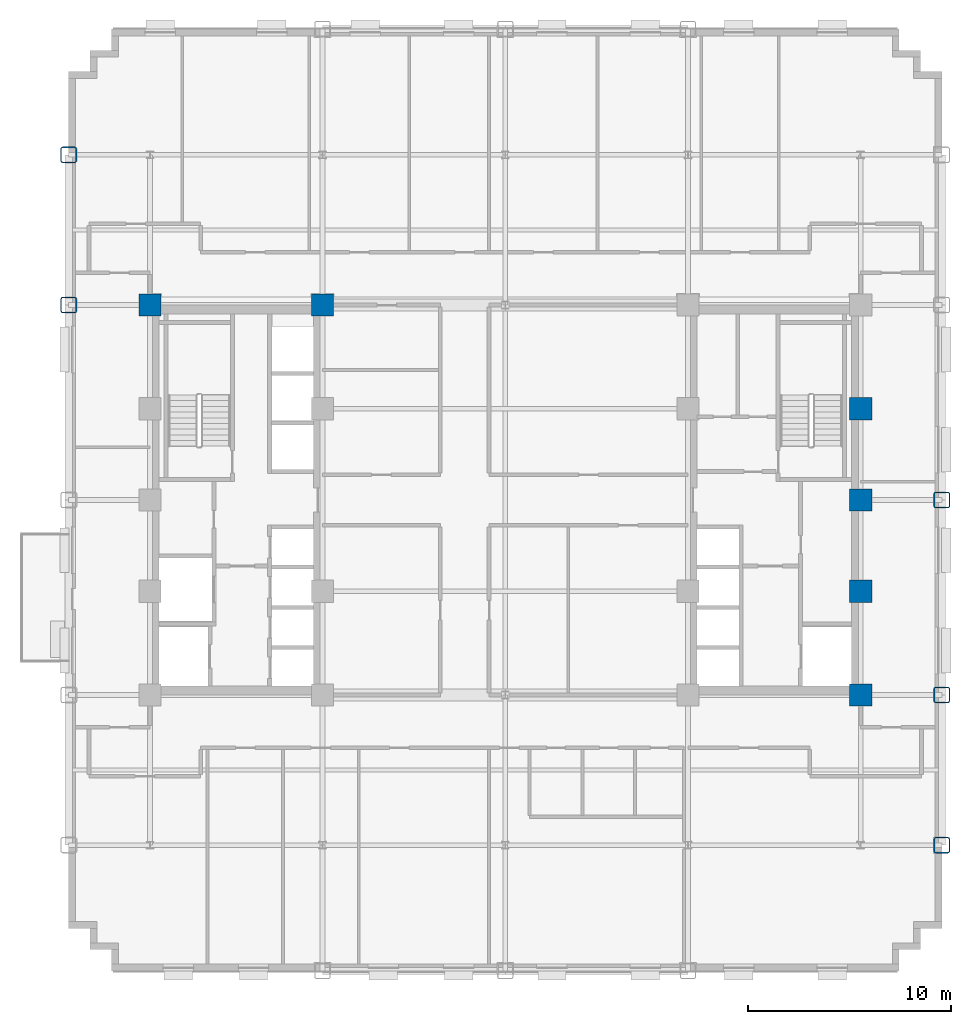
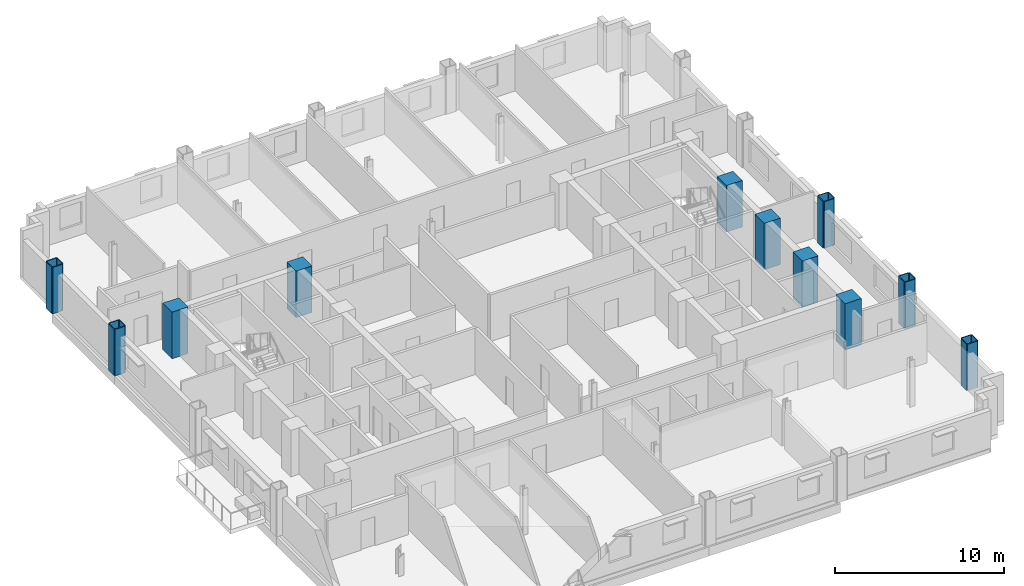
# One storey, part 2 of 14: 11 columns.
"""IFC4 building model written with IfcOpenShell, lengths in metres."""

import ifcopenshell
import ifcopenshell.guid

model = None  # the IFC model being written
_history = None  # IfcOwnerHistory: only IFC2X3 demands one
_inside = {}  # id of a spatial element -> (the spatial element, [elements in it])
_under = {}  # id of a project, library or spatial element -> (it, [spatial elements below it])
_declared = {}  # id of a project -> (the project, [libraries it declares])
_typed = {}  # id of a type object -> (the type object, [elements of that type])
_made_of = {}  # id of a material, layer set ... -> (it, [elements and type objects made of it])


def new_model(schema):
    """Start an empty IFC model of exactly this schema.

    Asked for "IFC4X3", IfcOpenShell would pick the latest addendum, in which some entities
    have other attributes; the version numbers below select the first issue.
    IFC2X3 requires an IfcOwnerHistory on every rooted entity: one is made here for all.
    """
    global model, _history
    if schema == "IFC4X3":
        model = ifcopenshell.file(schema_version=(4, 3, 0, 0))
    else:
        model = ifcopenshell.file(schema=schema)
    _inside.clear()
    _under.clear()
    _declared.clear()
    _typed.clear()
    _made_of.clear()
    _history = None
    if model.schema == "IFC2X3":
        org = make("IfcOrganization", Name="unknown")
        user = make(
            "IfcPersonAndOrganization",
            ThePerson=make("IfcPerson", FamilyName="unknown"),
            TheOrganization=org,
        )
        app = make(
            "IfcApplication",
            ApplicationDeveloper=org,
            Version="unknown",
            ApplicationFullName="unknown",
            ApplicationIdentifier="unknown",
        )
        _history = make(
            "IfcOwnerHistory",
            OwningUser=user,
            OwningApplication=app,
            ChangeAction="ADDED",
            CreationDate=0,
        )
    return model


def make(cls, **values):
    """One entity of the class cls with the attributes given. An attribute that is None is left unset."""
    return model.create_entity(
        cls, **{name: value for name, value in values.items() if value is not None}
    )


def rooted(cls, **values):
    """An entity with a GlobalId (a new one), such as an element, a storey or a relation."""
    return make(cls, GlobalId=ifcopenshell.guid.new(), OwnerHistory=_history, **values)


def si_unit(unit_type, name, prefix=None):
    """IfcSIUnit, for example si_unit("LENGTHUNIT", "METRE", prefix="MILLI")."""
    return make("IfcSIUnit", UnitType=unit_type, Prefix=prefix, Name=name)


def assignment(units):
    """IfcUnitAssignment: the units of a project."""
    return None if units is None else make("IfcUnitAssignment", Units=units)


def point(xyz):
    """IfcCartesianPoint."""
    return None if xyz is None else make("IfcCartesianPoint", Coordinates=xyz)


def direction(xyz):
    """IfcDirection."""
    return None if xyz is None else make("IfcDirection", DirectionRatios=xyz)


def frame(location, z_axis=None, x_axis=None):
    """IfcAxis2Placement3D, a coordinate frame: its origin and axes. An axis left out is left unset."""
    return make(
        "IfcAxis2Placement3D",
        Location=point(location),
        Axis=direction(z_axis),
        RefDirection=direction(x_axis),
    )


def frame_2d(location, x_axis=None):
    """IfcAxis2Placement2D, a coordinate frame in the plane: its origin and x axis."""
    return make(
        "IfcAxis2Placement2D", Location=point(location), RefDirection=direction(x_axis)
    )


def origin():
    """The frame at (0, 0, 0) with its axes left unset."""
    return frame((0.0, 0.0, 0.0))


def origin_2d():
    """The frame at (0, 0) in the plane with its x axis left unset."""
    return frame_2d((0.0, 0.0))


def place(relative_to, where):
    """IfcLocalPlacement: puts the frame where relative to a parent placement (None: the world)."""
    return make(
        "IfcLocalPlacement", PlacementRelTo=relative_to, RelativePlacement=where
    )


def context(
    kind, dimensions, precision=None, world=None, true_north=None, identifier=None
):
    """IfcGeometricRepresentationContext, for example the 3D "Model" context."""
    return make(
        "IfcGeometricRepresentationContext",
        ContextIdentifier=identifier,
        ContextType=kind,
        CoordinateSpaceDimension=dimensions,
        Precision=precision,
        WorldCoordinateSystem=world,
        TrueNorth=true_north,
    )


def subcontext(parent, identifier, kind, view, scale=None):
    """IfcGeometricRepresentationSubContext, for example "Body" below "Model"."""
    return make(
        "IfcGeometricRepresentationSubContext",
        ContextIdentifier=identifier,
        ContextType=kind,
        ParentContext=parent,
        TargetScale=scale,
        TargetView=view,
    )


def project(units=None, contexts=None):
    """IfcProject with its units and contexts."""
    return rooted(
        "IfcProject",
        Name="project",
        RepresentationContexts=contexts,
        UnitsInContext=assignment(units),
    )


def spatial(cls, under=None, at=None, **own):
    """A site, building, storey or space (cls), placed at a placement, below another one or the project."""
    s = rooted(cls, ObjectPlacement=at, **own)
    if under is not None:
        _under.setdefault(under.id(), (under, []))[1].append(s)
    return s


def profile(cls, at=None, kind="AREA", **sizes):
    """A parametric profile (cls). Its sizes go by their IFC names, for example OverallWidth=200.0."""
    return make(cls, ProfileType=kind, Position=at, **sizes)


def rectangle(**sizes):
    """IfcRectangleProfileDef."""
    return profile("IfcRectangleProfileDef", **sizes)


def hollow_rectangle(**sizes):
    """IfcRectangleHollowProfileDef."""
    return profile("IfcRectangleHollowProfileDef", **sizes)


def extrude(swept, where, along, depth):
    """IfcExtrudedAreaSolid: the profile swept, set in the frame where, extruded along a direction by depth."""
    return make(
        "IfcExtrudedAreaSolid",
        SweptArea=swept,
        Position=where,
        ExtrudedDirection=direction(along),
        Depth=depth,
    )


def shape(context_of_items, identifier, shape_type, items):
    """IfcShapeRepresentation: the items that make up one representation, for example the "Body"."""
    return make(
        "IfcShapeRepresentation",
        ContextOfItems=context_of_items,
        RepresentationIdentifier=identifier,
        RepresentationType=shape_type,
        Items=items,
    )


def material(Name=None, Category=None):
    """IfcMaterial."""
    return make("IfcMaterial", Name=Name, Category=Category)


def material_profile(
    of_material, cross_section, Name=None, Category=None, Priority=None
):
    """IfcMaterialProfile: a cross section and its material."""
    return make(
        "IfcMaterialProfile",
        Name=Name,
        Material=of_material,
        Profile=cross_section,
        Priority=Priority,
        Category=Category,
    )


def profile_set(profiles, Name=None, composite=None):
    """IfcMaterialProfileSet."""
    return make(
        "IfcMaterialProfileSet",
        Name=Name,
        MaterialProfiles=profiles,
        CompositeProfile=composite,
    )


def made_of(thing, what):
    """Note that an element or type object is made of a material, layer set ...; save() writes the relation."""
    if what is not None:
        _made_of.setdefault(what.id(), (what, []))[1].append(thing)
    return thing


def type_object(cls, material=None, **own):
    """A type object (cls), such as IfcWallType, which elements share."""
    return made_of(rooted(cls, **own), material)


def element(
    cls,
    number,
    at=None,
    inside=None,
    cuts=None,
    type_object=None,
    material=None,
    context=None,
    identifier="Body",
    shape_type=None,
    held_by="IfcProductDefinitionShape",
    body=None,
    shapes=None,
    **own,
):
    """One element of the class cls, such as IfcWall. Its Tag is "e" and its number.

    at: its placement. inside: the storey or other place that contains it. cuts: it is an
    opening in that element (IfcRelVoidsElement). A single representation is given by context,
    identifier, shape_type and body (its items); several are given by shapes. held_by: the class
    of the entity that holds the representations. save() writes the other relations.
    """
    e = rooted(cls, Tag="e%d" % number, ObjectPlacement=at, **own)
    if body is not None:
        shapes = [shape(context, identifier, shape_type, body)]
    if shapes is not None:
        e.Representation = make(held_by, Representations=shapes)
    if inside is not None:
        _inside.setdefault(inside.id(), (inside, []))[1].append(e)
    if cuts is not None:
        rooted(
            "IfcRelVoidsElement", RelatingBuildingElement=cuts, RelatedOpeningElement=e
        )
    if type_object is not None:
        _typed.setdefault(type_object.id(), (type_object, []))[1].append(e)
    return made_of(e, material)


def aggregate(whole, parts):
    """IfcRelAggregates: a whole, such as a stair, and the parts it consists of."""
    return rooted("IfcRelAggregates", RelatingObject=whole, RelatedObjects=parts)


def save(model, path):
    """Write the relations noted so far, then the file.

    IfcRelAggregates (storeys below a building ...), IfcRelContainedInSpatialStructure (elements
    in a storey), IfcRelDefinesByType, IfcRelAssociatesMaterial and IfcRelDeclares: one each for
    every whole, place, type object, material and project.
    """
    for whole, parts in _under.values():
        aggregate(whole, parts)
    for where, things in _inside.values():
        rooted(
            "IfcRelContainedInSpatialStructure",
            RelatedElements=things,
            RelatingStructure=where,
        )
    for kind, things in _typed.values():
        rooted("IfcRelDefinesByType", RelatedObjects=things, RelatingType=kind)
    for what, things in _made_of.values():
        rooted("IfcRelAssociatesMaterial", RelatedObjects=things, RelatingMaterial=what)
    for by, libraries in _declared.values():
        rooted("IfcRelDeclares", RelatingContext=by, RelatedDefinitions=libraries)
    model.write(path)


model = new_model("IFC4")

# Units and contexts
model_context = context("Model", 3, precision=1e-05, world=origin(), true_north=direction((0.0, 1.0)))
body_context = subcontext(model_context, "Body", "Model", "MODEL_VIEW")
ifc_project = project(units=[si_unit("LENGTHUNIT", "METRE"), si_unit("AREAUNIT", "SQUARE_METRE"), si_unit("VOLUMEUNIT", "CUBIC_METRE"), si_unit("PLANEANGLEUNIT", "RADIAN"), si_unit("MASSUNIT", "GRAM", prefix="KILO")], contexts=[model_context])

# Site, building, storey
site_placement = place(None, origin())
site = spatial("IfcSite", under=ifc_project, at=site_placement, CompositionType="ELEMENT")
building_placement = place(site_placement, origin())
building = spatial("IfcBuilding", under=site, at=building_placement, Name="Nuvemarco Arch Tower", CompositionType="ELEMENT")
storey_placement = place(building_placement, frame((0.0, 0.0, 60.449951171875)))
storey = spatial("IfcBuildingStorey", under=building, at=storey_placement, Name="L15", CompositionType="ELEMENT", Elevation=60.449951171875)

# Columns
ifc_material_1 = material(Name="Concrete C60/75", Category="concrete")
ifc_material_profile_1 = material_profile(ifc_material_1, rectangle(XDim=1.10009765625, YDim=1.10009765625, at=origin_2d()), Name="RC-COL-1100x1100")
ifc_profile_set_1 = profile_set([ifc_material_profile_1], Name="Concrete C60/75")
column_type_1 = type_object("IfcColumnType", Name="COL-CORE-1100", PredefinedType="COLUMN", material=ifc_profile_set_1)
for number, where, z_axis, x_axis, name in (
    (1, (-17.5, 9.60009765625, 0.0), (0.0, 0.0, 1.0), (1.0, 0.0, 0.0), "L15 column CC_-17.5_+9.6"),
    (2, (-9.0, 9.60009765625, 0.0), (0.0, 0.0, 1.0), (1.0, 0.0, 0.0), "L15 column CC_-9.0_+9.6"),
    (3, (17.5, -9.60009765625, 0.0), (0.0, 0.0, 1.0), (1.0, 0.0, 0.0), "L15 column CC_+17.5_-9.6"),
    (4, (17.5, -4.5, 0.0), (0.0, 0.0, 1.0), (1.0, 0.0, 0.0), "L15 column CC_+17.5_-4.5"),
    (5, (17.5, 4.5, 0.0), (0.0, 0.0, 1.0), (1.0, 0.0, 0.0), "L15 column CC_+17.5_+4.5"),
    (6, (17.5, 0.0, 0.0), (0.0, 0.0, 1.0), (1.0, 0.0, 0.0), "L15 column CC_+17.5_+0.0"),
):
    element("IfcColumn", number, at=place(storey_placement, frame(where, z_axis=z_axis, x_axis=x_axis)), inside=storey, type_object=column_type_1, Name=name, PredefinedType="COLUMN", context=body_context, shape_type="SweptSolid", body=[
        extrude(rectangle(XDim=1.10009765625, YDim=1.10009765625, at=origin_2d()), origin(), (0.0, 0.0, 1.0), 3.3701171875),
    ])
ifc_material_2 = material(Name="Steel S460", Category="steel")
ifc_material_profile_2 = material_profile(ifc_material_2, hollow_rectangle(XDim=0.800048828125, YDim=0.800048828125, WallThickness=0.054931640625, InnerFilletRadius=0.054931640625, OuterFilletRadius=0.110107421875, at=origin_2d()), Name="SHS800x800x55")
ifc_profile_set_2 = profile_set([ifc_material_profile_2], Name="Steel S460")
column_type_2 = type_object("IfcColumnType", Name="COL-EXO-800", PredefinedType="COLUMN", material=ifc_profile_set_2)
for number, where, z_axis, x_axis, name in (
    (7, (-21.5, 9.60009765625, 0.0), (0.0, 0.0, 1.0), (1.0, 0.0, 0.0), "L15 column CX_-21.5_+9.6"),
    (8, (-21.5, 17.0, 0.0), (0.0, 0.0, 1.0), (1.0, 0.0, 0.0), "L15 column CX_-21.5_+17.0"),
    (9, (21.5, -17.0, 0.0), (0.0, 0.0, 1.0), (1.0, 0.0, 0.0), "L15 column CX_+21.5_-17.0"),
    (10, (21.5, -9.60009765625, 0.0), (0.0, 0.0, 1.0), (1.0, 0.0, 0.0), "L15 column CX_+21.5_-9.6"),
    (11, (21.5, 0.0, 0.0), (0.0, 0.0, 1.0), (1.0, 0.0, 0.0), "L15 column CX_+21.5_+0.0"),
):
    element("IfcColumn", number, at=place(storey_placement, frame(where, z_axis=z_axis, x_axis=x_axis)), inside=storey, type_object=column_type_2, Name=name, PredefinedType="COLUMN", context=body_context, shape_type="SweptSolid", body=[
        extrude(hollow_rectangle(XDim=0.800048828125, YDim=0.800048828125, WallThickness=0.054931640625, InnerFilletRadius=0.054931640625, OuterFilletRadius=0.110107421875, at=origin_2d()), origin(), (0.0, 0.0, 1.0), 3.3701171875),
    ])

save(model, "model.ifc")
